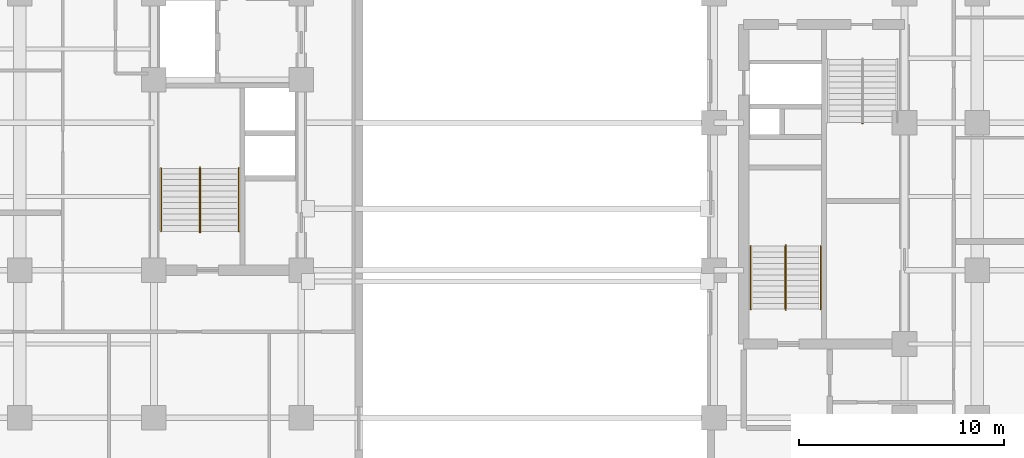
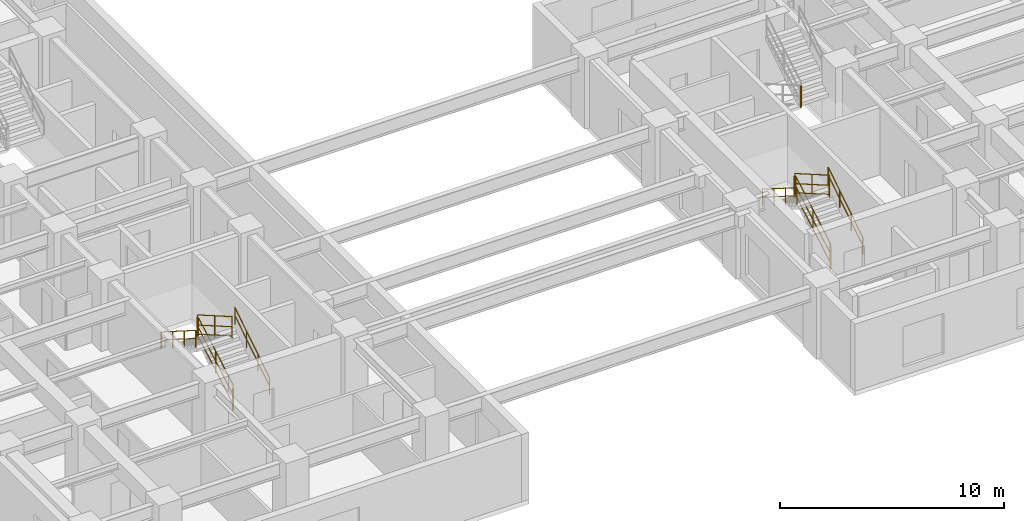
# One storey, part 6 of 8: 13 railings.
"""IFC4 building model written with IfcOpenShell, lengths in metres."""

from ifc_helpers import new_model, entity, si_unit, converted_unit, direction, frame, origin_with_axes, origin_2d_with_axis, place, context, subcontext, project, spatial, rectangle, circle, extrude, material, type_object, element, save


model = new_model("IFC4")

# Units and contexts
model_context = context("Model", 3, precision=1e-05, world=origin_with_axes(), true_north=direction((0.0, 1.0)))
body_context = subcontext(model_context, "Body", "Model", "MODEL_VIEW")
ifc_project = project(units=[si_unit("LENGTHUNIT", "METRE"), si_unit("AREAUNIT", "SQUARE_METRE"), si_unit("VOLUMEUNIT", "CUBIC_METRE"), converted_unit("PLANEANGLEUNIT", "DEGREE", entity("IfcPlaneAngleMeasure", 0.017453292519943295), si_unit("PLANEANGLEUNIT", "RADIAN"), dimensions=[0, 0, 0, 0, 0, 0, 0]), si_unit("MASSUNIT", "GRAM", prefix="KILO"), si_unit("THERMODYNAMICTEMPERATUREUNIT", "KELVIN")], contexts=[model_context])

# Site, building, storey
site_placement = place(None, origin_with_axes())
site = spatial("IfcSite", under=ifc_project, at=site_placement, CompositionType="ELEMENT")
building_placement = place(site_placement, origin_with_axes())
building = spatial("IfcBuilding", under=site, at=building_placement, Name="Varnlund Millrace Tower", CompositionType="ELEMENT")
storey_placement = place(building_placement, frame((0.0, 0.0, 100.8), z_axis=(0.0, 0.0, 1.0), x_axis=(1.0, 0.0, 0.0)))
storey = spatial("IfcBuildingStorey", under=building, at=storey_placement, Name="L24", CompositionType="ELEMENT", Elevation=100.8)

# Railings
ifc_material_1 = material(Name="Painted steel stair well balustrade guard", Category="steel")
railing_type_1 = type_object("IfcRailingType", Name="Type-StairGuard-1150", PredefinedType="GUARDRAIL", material=ifc_material_1)
railing_1_placement = place(storey_placement, frame((0.0, 0.0, -100.8), z_axis=(0.0, 0.0, 1.0), x_axis=(1.0, 0.0, 0.0)))
element("IfcRailing", 1, at=railing_1_placement, inside=storey, type_object=railing_type_1, Name="Type-StairGuard-1150", PredefinedType="GUARDRAIL", context=body_context, shape_type="SweptSolid", body=[
    extrude(circle(Radius=0.024, at=origin_2d_with_axis()), frame((13.675, 12.7, 102.127273), z_axis=(0.0, 0.866696, 0.498836), x_axis=(-1.0, 0.0, 0.0)), (0.0, 0.0, 1.0), 3.553725),
    extrude(circle(Radius=0.024, at=origin_2d_with_axis()), frame((13.675, 12.7, 101.077273), z_axis=(0.0, 0.866696, 0.498836), x_axis=(-1.0, 0.0, 0.0)), (0.0, 0.0, 1.0), 3.553725),
    extrude(circle(Radius=0.024, at=origin_2d_with_axis()), frame((13.675, 12.7, 101.575273), z_axis=(0.0, 0.866696, 0.498836), x_axis=(-1.0, 0.0, 0.0)), (0.0, 0.0, 1.0), 3.553725),
    extrude(rectangle(XDim=0.04, YDim=0.04, at=origin_2d_with_axis()), frame((13.675, 12.7, 100.937273), z_axis=(0.0, 0.0, 1.0), x_axis=(1.0, 0.0, 0.0)), (0.0, 0.0, 1.0), 1.19),
    extrude(rectangle(XDim=0.04, YDim=0.04, at=origin_2d_with_axis()), frame((13.675, 14.24, 101.823636), z_axis=(0.0, 0.0, 1.0), x_axis=(1.0, 0.0, 0.0)), (0.0, 0.0, 1.0), 1.19),
    extrude(rectangle(XDim=0.04, YDim=0.04, at=origin_2d_with_axis()), frame((13.675, 15.78, 102.71), z_axis=(0.0, 0.0, 1.0), x_axis=(1.0, 0.0, 0.0)), (0.0, 0.0, 1.0), 1.19),
])
railing_2_placement = place(storey_placement, frame((0.0, 0.0, -100.8), z_axis=(0.0, 0.0, 1.0), x_axis=(1.0, 0.0, 0.0)))
element("IfcRailing", 2, at=railing_2_placement, inside=storey, type_object=railing_type_1, Name="Type-StairGuard-1150", PredefinedType="GUARDRAIL", context=body_context, shape_type="SweptSolid", body=[
    extrude(circle(Radius=0.024, at=origin_2d_with_axis()), frame((13.625, 15.83, 103.9), z_axis=(1.0, 0.0, 0.0), x_axis=(0.0, 1.0, 0.0)), (0.0, 0.0, 1.0), 0.05),
    extrude(circle(Radius=0.024, at=origin_2d_with_axis()), frame((13.625, 15.83, 102.85), z_axis=(1.0, 0.0, 0.0), x_axis=(0.0, 1.0, 0.0)), (0.0, 0.0, 1.0), 0.05),
    extrude(circle(Radius=0.024, at=origin_2d_with_axis()), frame((13.625, 15.83, 103.348), z_axis=(1.0, 0.0, 0.0), x_axis=(0.0, 1.0, 0.0)), (0.0, 0.0, 1.0), 0.05),
    extrude(rectangle(XDim=0.04, YDim=0.04, at=origin_2d_with_axis()), frame((13.625, 15.83, 102.71), z_axis=(0.0, 0.0, 1.0), x_axis=(1.0, 0.0, 0.0)), (0.0, 0.0, 1.0), 1.19),
    extrude(rectangle(XDim=0.04, YDim=0.04, at=origin_2d_with_axis()), frame((13.675, 15.83, 102.71), z_axis=(0.0, 0.0, 1.0), x_axis=(1.0, 0.0, 0.0)), (0.0, 0.0, 1.0), 1.19),
])
railing_3_placement = place(storey_placement, frame((0.0, 0.0, -100.8), z_axis=(0.0, 0.0, 1.0), x_axis=(1.0, 0.0, 0.0)))
element("IfcRailing", 3, at=railing_3_placement, inside=storey, type_object=railing_type_1, Name="Type-StairGuard-1150", PredefinedType="GUARDRAIL", context=body_context, shape_type="SweptSolid", body=[
    extrude(circle(Radius=0.024, at=origin_2d_with_axis()), frame((13.625, 15.78, 104.077273), z_axis=(0.0, -0.866696, 0.498836), x_axis=(1.0, 0.0, 0.0)), (0.0, 0.0, 1.0), 3.553725),
    extrude(circle(Radius=0.024, at=origin_2d_with_axis()), frame((13.625, 15.78, 103.027273), z_axis=(0.0, -0.866696, 0.498836), x_axis=(1.0, 0.0, 0.0)), (0.0, 0.0, 1.0), 3.553725),
    extrude(circle(Radius=0.024, at=origin_2d_with_axis()), frame((13.625, 15.78, 103.525273), z_axis=(0.0, -0.866696, 0.498836), x_axis=(1.0, 0.0, 0.0)), (0.0, 0.0, 1.0), 3.553725),
    extrude(rectangle(XDim=0.04, YDim=0.04, at=origin_2d_with_axis()), frame((13.625, 15.78, 102.887273), z_axis=(0.0, 0.0, 1.0), x_axis=(1.0, 0.0, 0.0)), (0.0, 0.0, 1.0), 1.19),
    extrude(rectangle(XDim=0.04, YDim=0.04, at=origin_2d_with_axis()), frame((13.625, 14.24, 103.773636), z_axis=(0.0, 0.0, 1.0), x_axis=(1.0, 0.0, 0.0)), (0.0, 0.0, 1.0), 1.19),
    extrude(rectangle(XDim=0.04, YDim=0.04, at=origin_2d_with_axis()), frame((13.625, 12.7, 104.66), z_axis=(0.0, 0.0, 1.0), x_axis=(1.0, 0.0, 0.0)), (0.0, 0.0, 1.0), 1.19),
])
railing_4_placement = place(storey_placement, frame((0.0, 0.0, -100.8), z_axis=(0.0, 0.0, 1.0), x_axis=(1.0, 0.0, 0.0)))
element("IfcRailing", 4, at=railing_4_placement, inside=storey, type_object=railing_type_1, Name="Type-StairGuard-1150", PredefinedType="GUARDRAIL", context=body_context, shape_type="SweptSolid", body=[
    extrude(circle(Radius=0.024, at=origin_2d_with_axis()), frame((13.625, 12.65, 101.95), z_axis=(1.0, 0.0, 0.0), x_axis=(0.0, 1.0, 0.0)), (0.0, 0.0, 1.0), 0.05),
    extrude(circle(Radius=0.024, at=origin_2d_with_axis()), frame((13.625, 12.65, 100.9), z_axis=(1.0, 0.0, 0.0), x_axis=(0.0, 1.0, 0.0)), (0.0, 0.0, 1.0), 0.05),
    extrude(circle(Radius=0.024, at=origin_2d_with_axis()), frame((13.625, 12.65, 101.398), z_axis=(1.0, 0.0, 0.0), x_axis=(0.0, 1.0, 0.0)), (0.0, 0.0, 1.0), 0.05),
    extrude(rectangle(XDim=0.04, YDim=0.04, at=origin_2d_with_axis()), frame((13.625, 12.65, 100.76), z_axis=(0.0, 0.0, 1.0), x_axis=(1.0, 0.0, 0.0)), (0.0, 0.0, 1.0), 1.19),
    extrude(rectangle(XDim=0.04, YDim=0.04, at=origin_2d_with_axis()), frame((13.675, 12.65, 100.76), z_axis=(0.0, 0.0, 1.0), x_axis=(1.0, 0.0, 0.0)), (0.0, 0.0, 1.0), 1.19),
])
railing_5_placement = place(storey_placement, frame((0.0, 0.0, -100.8), z_axis=(0.0, 0.0, 1.0), x_axis=(1.0, 0.0, 0.0)))
element("IfcRailing", 5, at=railing_5_placement, inside=storey, type_object=railing_type_1, Name="Type-StairGuard-1150", PredefinedType="GUARDRAIL", context=body_context, shape_type="SweptSolid", body=[
    extrude(circle(Radius=0.024, at=origin_2d_with_axis()), frame((42.275, 8.9, 102.127273), z_axis=(0.0, 0.866696, 0.498836), x_axis=(-1.0, 0.0, 0.0)), (0.0, 0.0, 1.0), 3.553725),
    extrude(circle(Radius=0.024, at=origin_2d_with_axis()), frame((42.275, 8.9, 101.077273), z_axis=(0.0, 0.866696, 0.498836), x_axis=(-1.0, 0.0, 0.0)), (0.0, 0.0, 1.0), 3.553725),
    extrude(circle(Radius=0.024, at=origin_2d_with_axis()), frame((42.275, 8.9, 101.575273), z_axis=(0.0, 0.866696, 0.498836), x_axis=(-1.0, 0.0, 0.0)), (0.0, 0.0, 1.0), 3.553725),
    extrude(rectangle(XDim=0.04, YDim=0.04, at=origin_2d_with_axis()), frame((42.275, 8.9, 100.937273), z_axis=(0.0, 0.0, 1.0), x_axis=(1.0, 0.0, 0.0)), (0.0, 0.0, 1.0), 1.19),
    extrude(rectangle(XDim=0.04, YDim=0.04, at=origin_2d_with_axis()), frame((42.275, 10.44, 101.823636), z_axis=(0.0, 0.0, 1.0), x_axis=(1.0, 0.0, 0.0)), (0.0, 0.0, 1.0), 1.19),
    extrude(rectangle(XDim=0.04, YDim=0.04, at=origin_2d_with_axis()), frame((42.275, 11.98, 102.71), z_axis=(0.0, 0.0, 1.0), x_axis=(1.0, 0.0, 0.0)), (0.0, 0.0, 1.0), 1.19),
])
railing_6_placement = place(storey_placement, frame((0.0, 0.0, -100.8), z_axis=(0.0, 0.0, 1.0), x_axis=(1.0, 0.0, 0.0)))
element("IfcRailing", 6, at=railing_6_placement, inside=storey, type_object=railing_type_1, Name="Type-StairGuard-1150", PredefinedType="GUARDRAIL", context=body_context, shape_type="SweptSolid", body=[
    extrude(circle(Radius=0.024, at=origin_2d_with_axis()), frame((42.225, 12.03, 103.9), z_axis=(1.0, 0.0, 0.0), x_axis=(0.0, 1.0, 0.0)), (0.0, 0.0, 1.0), 0.05),
    extrude(circle(Radius=0.024, at=origin_2d_with_axis()), frame((42.225, 12.03, 102.85), z_axis=(1.0, 0.0, 0.0), x_axis=(0.0, 1.0, 0.0)), (0.0, 0.0, 1.0), 0.05),
    extrude(circle(Radius=0.024, at=origin_2d_with_axis()), frame((42.225, 12.03, 103.348), z_axis=(1.0, 0.0, 0.0), x_axis=(0.0, 1.0, 0.0)), (0.0, 0.0, 1.0), 0.05),
    extrude(rectangle(XDim=0.04, YDim=0.04, at=origin_2d_with_axis()), frame((42.225, 12.03, 102.71), z_axis=(0.0, 0.0, 1.0), x_axis=(1.0, 0.0, 0.0)), (0.0, 0.0, 1.0), 1.19),
    extrude(rectangle(XDim=0.04, YDim=0.04, at=origin_2d_with_axis()), frame((42.275, 12.03, 102.71), z_axis=(0.0, 0.0, 1.0), x_axis=(1.0, 0.0, 0.0)), (0.0, 0.0, 1.0), 1.19),
])
railing_7_placement = place(storey_placement, frame((0.0, 0.0, -100.8), z_axis=(0.0, 0.0, 1.0), x_axis=(1.0, 0.0, 0.0)))
element("IfcRailing", 7, at=railing_7_placement, inside=storey, type_object=railing_type_1, Name="Type-StairGuard-1150", PredefinedType="GUARDRAIL", context=body_context, shape_type="SweptSolid", body=[
    extrude(circle(Radius=0.024, at=origin_2d_with_axis()), frame((42.225, 11.98, 104.077273), z_axis=(0.0, -0.866696, 0.498836), x_axis=(1.0, 0.0, 0.0)), (0.0, 0.0, 1.0), 3.553725),
    extrude(circle(Radius=0.024, at=origin_2d_with_axis()), frame((42.225, 11.98, 103.027273), z_axis=(0.0, -0.866696, 0.498836), x_axis=(1.0, 0.0, 0.0)), (0.0, 0.0, 1.0), 3.553725),
    extrude(circle(Radius=0.024, at=origin_2d_with_axis()), frame((42.225, 11.98, 103.525273), z_axis=(0.0, -0.866696, 0.498836), x_axis=(1.0, 0.0, 0.0)), (0.0, 0.0, 1.0), 3.553725),
    extrude(rectangle(XDim=0.04, YDim=0.04, at=origin_2d_with_axis()), frame((42.225, 11.98, 102.887273), z_axis=(0.0, 0.0, 1.0), x_axis=(1.0, 0.0, 0.0)), (0.0, 0.0, 1.0), 1.19),
    extrude(rectangle(XDim=0.04, YDim=0.04, at=origin_2d_with_axis()), frame((42.225, 10.44, 103.773636), z_axis=(0.0, 0.0, 1.0), x_axis=(1.0, 0.0, 0.0)), (0.0, 0.0, 1.0), 1.19),
    extrude(rectangle(XDim=0.04, YDim=0.04, at=origin_2d_with_axis()), frame((42.225, 8.9, 104.66), z_axis=(0.0, 0.0, 1.0), x_axis=(1.0, 0.0, 0.0)), (0.0, 0.0, 1.0), 1.19),
])
railing_8_placement = place(storey_placement, frame((0.0, 0.0, -100.8), z_axis=(0.0, 0.0, 1.0), x_axis=(1.0, 0.0, 0.0)))
element("IfcRailing", 8, at=railing_8_placement, inside=storey, type_object=railing_type_1, Name="Type-StairGuard-1150", PredefinedType="GUARDRAIL", context=body_context, shape_type="SweptSolid", body=[
    extrude(circle(Radius=0.024, at=origin_2d_with_axis()), frame((42.225, 8.85, 101.95), z_axis=(1.0, 0.0, 0.0), x_axis=(0.0, 1.0, 0.0)), (0.0, 0.0, 1.0), 0.05),
    extrude(circle(Radius=0.024, at=origin_2d_with_axis()), frame((42.225, 8.85, 100.9), z_axis=(1.0, 0.0, 0.0), x_axis=(0.0, 1.0, 0.0)), (0.0, 0.0, 1.0), 0.05),
    extrude(circle(Radius=0.024, at=origin_2d_with_axis()), frame((42.225, 8.85, 101.398), z_axis=(1.0, 0.0, 0.0), x_axis=(0.0, 1.0, 0.0)), (0.0, 0.0, 1.0), 0.05),
    extrude(rectangle(XDim=0.04, YDim=0.04, at=origin_2d_with_axis()), frame((42.225, 8.85, 100.76), z_axis=(0.0, 0.0, 1.0), x_axis=(1.0, 0.0, 0.0)), (0.0, 0.0, 1.0), 1.19),
    extrude(rectangle(XDim=0.04, YDim=0.04, at=origin_2d_with_axis()), frame((42.275, 8.85, 100.76), z_axis=(0.0, 0.0, 1.0), x_axis=(1.0, 0.0, 0.0)), (0.0, 0.0, 1.0), 1.19),
])
railing_9_placement = place(storey_placement, frame((0.0, 0.0, -100.8), z_axis=(0.0, 0.0, 1.0), x_axis=(1.0, 0.0, 0.0)))
element("IfcRailing", 9, at=railing_9_placement, inside=storey, type_object=railing_type_1, Name="Type-StairGuard-1150", PredefinedType="GUARDRAIL", context=body_context, shape_type="SweptSolid", body=[
    extrude(circle(Radius=0.024, at=origin_2d_with_axis()), frame((46.025, 17.97, 103.9), z_axis=(-1.0, 0.0, 0.0), x_axis=(0.0, -1.0, 0.0)), (0.0, 0.0, 1.0), 0.05),
    extrude(circle(Radius=0.024, at=origin_2d_with_axis()), frame((46.025, 17.97, 102.85), z_axis=(-1.0, 0.0, 0.0), x_axis=(0.0, -1.0, 0.0)), (0.0, 0.0, 1.0), 0.05),
    extrude(circle(Radius=0.024, at=origin_2d_with_axis()), frame((46.025, 17.97, 103.348), z_axis=(-1.0, 0.0, 0.0), x_axis=(0.0, -1.0, 0.0)), (0.0, 0.0, 1.0), 0.05),
    extrude(rectangle(XDim=0.04, YDim=0.04, at=origin_2d_with_axis()), frame((46.025, 17.97, 102.71), z_axis=(0.0, 0.0, 1.0), x_axis=(1.0, 0.0, 0.0)), (0.0, 0.0, 1.0), 1.19),
    extrude(rectangle(XDim=0.04, YDim=0.04, at=origin_2d_with_axis()), frame((45.975, 17.97, 102.71), z_axis=(0.0, 0.0, 1.0), x_axis=(1.0, 0.0, 0.0)), (0.0, 0.0, 1.0), 1.19),
])
ifc_material_2 = material(Name="Brushed architectural bronze stair handrail", Category="aluminium")
railing_type_2 = type_object("IfcRailingType", Name="Type-StairHandrail-900", PredefinedType="HANDRAIL", material=ifc_material_2)
railing_10_placement = place(storey_placement, frame((0.0, 0.0, -100.8), z_axis=(0.0, 0.0, 1.0), x_axis=(1.0, 0.0, 0.0)))
element("IfcRailing", 10, at=railing_10_placement, inside=storey, type_object=railing_type_2, Name="Type-StairHandrail-900", PredefinedType="HANDRAIL", context=body_context, shape_type="SweptSolid", body=[
    extrude(circle(Radius=0.024, at=origin_2d_with_axis()), frame((15.55, 12.7, 101.856995), z_axis=(0.0, 0.844902, 0.534922), x_axis=(-1.0, 0.0, 0.0)), (0.0, 0.0, 1.0), 3.645394),
    extrude(circle(Radius=0.024, at=origin_2d_with_axis()), frame((15.55, 12.7, 101.417134), z_axis=(0.0, 0.844902, 0.534922), x_axis=(-1.0, 0.0, 0.0)), (0.0, 0.0, 1.0), 3.645394),
    extrude(rectangle(XDim=0.04, YDim=0.04, at=origin_2d_with_axis()), frame((15.55, 12.7, 100.937273), z_axis=(0.0, 0.0, 1.0), x_axis=(1.0, 0.0, 0.0)), (0.0, 0.0, 1.0), 0.919722),
    extrude(rectangle(XDim=0.04, YDim=0.04, at=origin_2d_with_axis()), frame((15.55, 13.726667, 101.587273), z_axis=(0.0, 0.0, 1.0), x_axis=(1.0, 0.0, 0.0)), (0.0, 0.0, 1.0), 0.919722),
    extrude(rectangle(XDim=0.04, YDim=0.04, at=origin_2d_with_axis()), frame((15.55, 14.753333, 102.237273), z_axis=(0.0, 0.0, 1.0), x_axis=(1.0, 0.0, 0.0)), (0.0, 0.0, 1.0), 0.919722),
    extrude(rectangle(XDim=0.04, YDim=0.04, at=origin_2d_with_axis()), frame((15.55, 15.78, 102.887273), z_axis=(0.0, 0.0, 1.0), x_axis=(1.0, 0.0, 0.0)), (0.0, 0.0, 1.0), 0.919722),
])
railing_11_placement = place(storey_placement, frame((0.0, 0.0, -100.8), z_axis=(0.0, 0.0, 1.0), x_axis=(1.0, 0.0, 0.0)))
element("IfcRailing", 11, at=railing_11_placement, inside=storey, type_object=railing_type_2, Name="Type-StairHandrail-900", PredefinedType="HANDRAIL", context=body_context, shape_type="SweptSolid", body=[
    extrude(circle(Radius=0.024, at=origin_2d_with_axis()), frame((11.75, 15.78, 103.806995), z_axis=(0.0, -0.844902, 0.534922), x_axis=(1.0, 0.0, 0.0)), (0.0, 0.0, 1.0), 3.645394),
    extrude(circle(Radius=0.024, at=origin_2d_with_axis()), frame((11.75, 15.78, 103.367134), z_axis=(0.0, -0.844902, 0.534922), x_axis=(1.0, 0.0, 0.0)), (0.0, 0.0, 1.0), 3.645394),
    extrude(rectangle(XDim=0.04, YDim=0.04, at=origin_2d_with_axis()), frame((11.75, 15.78, 102.887273), z_axis=(0.0, 0.0, 1.0), x_axis=(1.0, 0.0, 0.0)), (0.0, 0.0, 1.0), 0.919722),
    extrude(rectangle(XDim=0.04, YDim=0.04, at=origin_2d_with_axis()), frame((11.75, 14.753333, 103.537273), z_axis=(0.0, 0.0, 1.0), x_axis=(1.0, 0.0, 0.0)), (0.0, 0.0, 1.0), 0.919722),
    extrude(rectangle(XDim=0.04, YDim=0.04, at=origin_2d_with_axis()), frame((11.75, 13.726667, 104.187273), z_axis=(0.0, 0.0, 1.0), x_axis=(1.0, 0.0, 0.0)), (0.0, 0.0, 1.0), 0.919722),
    extrude(rectangle(XDim=0.04, YDim=0.04, at=origin_2d_with_axis()), frame((11.75, 12.7, 104.837273), z_axis=(0.0, 0.0, 1.0), x_axis=(1.0, 0.0, 0.0)), (0.0, 0.0, 1.0), 0.919722),
])
railing_12_placement = place(storey_placement, frame((0.0, 0.0, -100.8), z_axis=(0.0, 0.0, 1.0), x_axis=(1.0, 0.0, 0.0)))
element("IfcRailing", 12, at=railing_12_placement, inside=storey, type_object=railing_type_2, Name="Type-StairHandrail-900", PredefinedType="HANDRAIL", context=body_context, shape_type="SweptSolid", body=[
    extrude(circle(Radius=0.024, at=origin_2d_with_axis()), frame((43.95, 8.9, 101.856995), z_axis=(0.0, 0.844902, 0.534922), x_axis=(-1.0, 0.0, 0.0)), (0.0, 0.0, 1.0), 3.645394),
    extrude(circle(Radius=0.024, at=origin_2d_with_axis()), frame((43.95, 8.9, 101.417134), z_axis=(0.0, 0.844902, 0.534922), x_axis=(-1.0, 0.0, 0.0)), (0.0, 0.0, 1.0), 3.645394),
    extrude(rectangle(XDim=0.04, YDim=0.04, at=origin_2d_with_axis()), frame((43.95, 8.9, 100.937273), z_axis=(0.0, 0.0, 1.0), x_axis=(1.0, 0.0, 0.0)), (0.0, 0.0, 1.0), 0.919722),
    extrude(rectangle(XDim=0.04, YDim=0.04, at=origin_2d_with_axis()), frame((43.95, 9.926667, 101.587273), z_axis=(0.0, 0.0, 1.0), x_axis=(1.0, 0.0, 0.0)), (0.0, 0.0, 1.0), 0.919722),
    extrude(rectangle(XDim=0.04, YDim=0.04, at=origin_2d_with_axis()), frame((43.95, 10.953333, 102.237273), z_axis=(0.0, 0.0, 1.0), x_axis=(1.0, 0.0, 0.0)), (0.0, 0.0, 1.0), 0.919722),
    extrude(rectangle(XDim=0.04, YDim=0.04, at=origin_2d_with_axis()), frame((43.95, 11.98, 102.887273), z_axis=(0.0, 0.0, 1.0), x_axis=(1.0, 0.0, 0.0)), (0.0, 0.0, 1.0), 0.919722),
])
railing_13_placement = place(storey_placement, frame((0.0, 0.0, -100.8), z_axis=(0.0, 0.0, 1.0), x_axis=(1.0, 0.0, 0.0)))
element("IfcRailing", 13, at=railing_13_placement, inside=storey, type_object=railing_type_2, Name="Type-StairHandrail-900", PredefinedType="HANDRAIL", context=body_context, shape_type="SweptSolid", body=[
    extrude(circle(Radius=0.024, at=origin_2d_with_axis()), frame((40.55, 11.98, 103.806995), z_axis=(0.0, -0.844902, 0.534922), x_axis=(1.0, 0.0, 0.0)), (0.0, 0.0, 1.0), 3.645394),
    extrude(circle(Radius=0.024, at=origin_2d_with_axis()), frame((40.55, 11.98, 103.367134), z_axis=(0.0, -0.844902, 0.534922), x_axis=(1.0, 0.0, 0.0)), (0.0, 0.0, 1.0), 3.645394),
    extrude(rectangle(XDim=0.04, YDim=0.04, at=origin_2d_with_axis()), frame((40.55, 11.98, 102.887273), z_axis=(0.0, 0.0, 1.0), x_axis=(1.0, 0.0, 0.0)), (0.0, 0.0, 1.0), 0.919722),
    extrude(rectangle(XDim=0.04, YDim=0.04, at=origin_2d_with_axis()), frame((40.55, 10.953333, 103.537273), z_axis=(0.0, 0.0, 1.0), x_axis=(1.0, 0.0, 0.0)), (0.0, 0.0, 1.0), 0.919722),
    extrude(rectangle(XDim=0.04, YDim=0.04, at=origin_2d_with_axis()), frame((40.55, 9.926667, 104.187273), z_axis=(0.0, 0.0, 1.0), x_axis=(1.0, 0.0, 0.0)), (0.0, 0.0, 1.0), 0.919722),
    extrude(rectangle(XDim=0.04, YDim=0.04, at=origin_2d_with_axis()), frame((40.55, 8.9, 104.837273), z_axis=(0.0, 0.0, 1.0), x_axis=(1.0, 0.0, 0.0)), (0.0, 0.0, 1.0), 0.919722),
])

save(model, "model.ifc")
